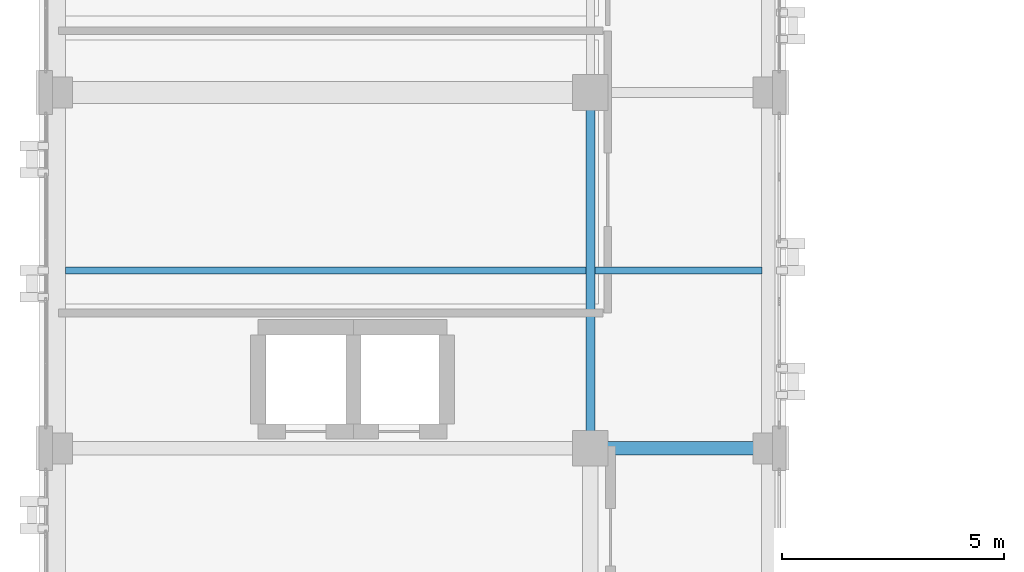
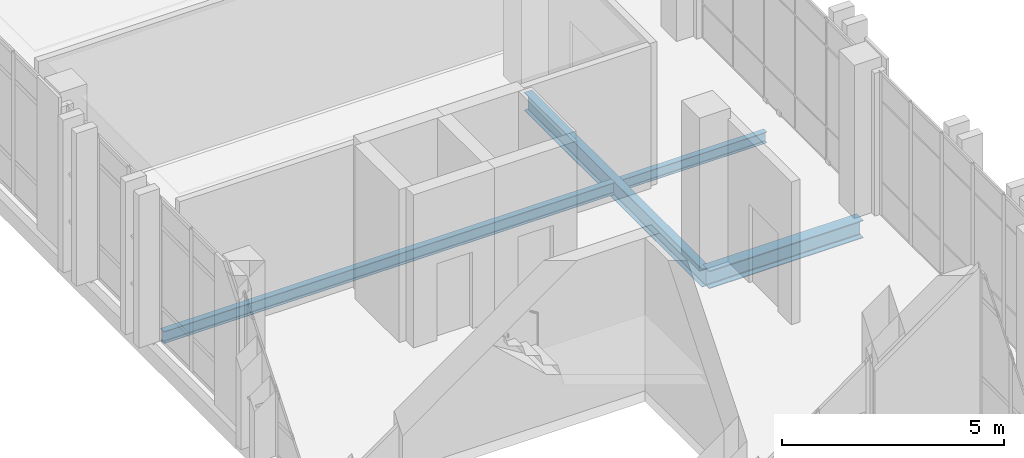
# One storey, part 27 of 193: 4 beams.
"""IFC4 building model written with IfcOpenShell, lengths in metres."""

import ifcopenshell
import ifcopenshell.guid

model = None  # the IFC model being written
_history = None  # IfcOwnerHistory: only IFC2X3 demands one
_inside = {}  # id of a spatial element -> (the spatial element, [elements in it])
_under = {}  # id of a project, library or spatial element -> (it, [spatial elements below it])
_declared = {}  # id of a project -> (the project, [libraries it declares])
_typed = {}  # id of a type object -> (the type object, [elements of that type])
_made_of = {}  # id of a material, layer set ... -> (it, [elements and type objects made of it])


def new_model(schema):
    """Start an empty IFC model of exactly this schema.

    Asked for "IFC4X3", IfcOpenShell would pick the latest addendum, in which some entities
    have other attributes; the version numbers below select the first issue.
    IFC2X3 requires an IfcOwnerHistory on every rooted entity: one is made here for all.
    """
    global model, _history
    if schema == "IFC4X3":
        model = ifcopenshell.file(schema_version=(4, 3, 0, 0))
    else:
        model = ifcopenshell.file(schema=schema)
    _inside.clear()
    _under.clear()
    _declared.clear()
    _typed.clear()
    _made_of.clear()
    _history = None
    if model.schema == "IFC2X3":
        org = make("IfcOrganization", Name="unknown")
        user = make(
            "IfcPersonAndOrganization",
            ThePerson=make("IfcPerson", FamilyName="unknown"),
            TheOrganization=org,
        )
        app = make(
            "IfcApplication",
            ApplicationDeveloper=org,
            Version="unknown",
            ApplicationFullName="unknown",
            ApplicationIdentifier="unknown",
        )
        _history = make(
            "IfcOwnerHistory",
            OwningUser=user,
            OwningApplication=app,
            ChangeAction="ADDED",
            CreationDate=0,
        )
    return model


def make(cls, **values):
    """One entity of the class cls with the attributes given. An attribute that is None is left unset."""
    return model.create_entity(
        cls, **{name: value for name, value in values.items() if value is not None}
    )


def rooted(cls, **values):
    """An entity with a GlobalId (a new one), such as an element, a storey or a relation."""
    return make(cls, GlobalId=ifcopenshell.guid.new(), OwnerHistory=_history, **values)


def si_unit(unit_type, name, prefix=None):
    """IfcSIUnit, for example si_unit("LENGTHUNIT", "METRE", prefix="MILLI")."""
    return make("IfcSIUnit", UnitType=unit_type, Prefix=prefix, Name=name)


def assignment(units):
    """IfcUnitAssignment: the units of a project."""
    return None if units is None else make("IfcUnitAssignment", Units=units)


def point(xyz):
    """IfcCartesianPoint."""
    return None if xyz is None else make("IfcCartesianPoint", Coordinates=xyz)


def direction(xyz):
    """IfcDirection."""
    return None if xyz is None else make("IfcDirection", DirectionRatios=xyz)


def frame(location, z_axis=None, x_axis=None):
    """IfcAxis2Placement3D, a coordinate frame: its origin and axes. An axis left out is left unset."""
    return make(
        "IfcAxis2Placement3D",
        Location=point(location),
        Axis=direction(z_axis),
        RefDirection=direction(x_axis),
    )


def frame_2d(location, x_axis=None):
    """IfcAxis2Placement2D, a coordinate frame in the plane: its origin and x axis."""
    return make(
        "IfcAxis2Placement2D", Location=point(location), RefDirection=direction(x_axis)
    )


def origin():
    """The frame at (0, 0, 0) with its axes left unset."""
    return frame((0.0, 0.0, 0.0))


def origin_2d():
    """The frame at (0, 0) in the plane with its x axis left unset."""
    return frame_2d((0.0, 0.0))


def place(relative_to, where):
    """IfcLocalPlacement: puts the frame where relative to a parent placement (None: the world)."""
    return make(
        "IfcLocalPlacement", PlacementRelTo=relative_to, RelativePlacement=where
    )


def context(
    kind, dimensions, precision=None, world=None, true_north=None, identifier=None
):
    """IfcGeometricRepresentationContext, for example the 3D "Model" context."""
    return make(
        "IfcGeometricRepresentationContext",
        ContextIdentifier=identifier,
        ContextType=kind,
        CoordinateSpaceDimension=dimensions,
        Precision=precision,
        WorldCoordinateSystem=world,
        TrueNorth=true_north,
    )


def subcontext(parent, identifier, kind, view, scale=None):
    """IfcGeometricRepresentationSubContext, for example "Body" below "Model"."""
    return make(
        "IfcGeometricRepresentationSubContext",
        ContextIdentifier=identifier,
        ContextType=kind,
        ParentContext=parent,
        TargetScale=scale,
        TargetView=view,
    )


def project(units=None, contexts=None):
    """IfcProject with its units and contexts."""
    return rooted(
        "IfcProject",
        Name="project",
        RepresentationContexts=contexts,
        UnitsInContext=assignment(units),
    )


def spatial(cls, under=None, at=None, **own):
    """A site, building, storey or space (cls), placed at a placement, below another one or the project."""
    s = rooted(cls, ObjectPlacement=at, **own)
    if under is not None:
        _under.setdefault(under.id(), (under, []))[1].append(s)
    return s


def profile(cls, at=None, kind="AREA", **sizes):
    """A parametric profile (cls). Its sizes go by their IFC names, for example OverallWidth=200.0."""
    return make(cls, ProfileType=kind, Position=at, **sizes)


def i_section(**sizes):
    """IfcIShapeProfileDef."""
    return profile("IfcIShapeProfileDef", **sizes)


def extrude(swept, where, along, depth):
    """IfcExtrudedAreaSolid: the profile swept, set in the frame where, extruded along a direction by depth."""
    return make(
        "IfcExtrudedAreaSolid",
        SweptArea=swept,
        Position=where,
        ExtrudedDirection=direction(along),
        Depth=depth,
    )


def shape(context_of_items, identifier, shape_type, items):
    """IfcShapeRepresentation: the items that make up one representation, for example the "Body"."""
    return make(
        "IfcShapeRepresentation",
        ContextOfItems=context_of_items,
        RepresentationIdentifier=identifier,
        RepresentationType=shape_type,
        Items=items,
    )


def material(Name=None, Category=None):
    """IfcMaterial."""
    return make("IfcMaterial", Name=Name, Category=Category)


def material_profile(
    of_material, cross_section, Name=None, Category=None, Priority=None
):
    """IfcMaterialProfile: a cross section and its material."""
    return make(
        "IfcMaterialProfile",
        Name=Name,
        Material=of_material,
        Profile=cross_section,
        Priority=Priority,
        Category=Category,
    )


def profile_set(profiles, Name=None, composite=None):
    """IfcMaterialProfileSet."""
    return make(
        "IfcMaterialProfileSet",
        Name=Name,
        MaterialProfiles=profiles,
        CompositeProfile=composite,
    )


def made_of(thing, what):
    """Note that an element or type object is made of a material, layer set ...; save() writes the relation."""
    if what is not None:
        _made_of.setdefault(what.id(), (what, []))[1].append(thing)
    return thing


def type_object(cls, material=None, **own):
    """A type object (cls), such as IfcWallType, which elements share."""
    return made_of(rooted(cls, **own), material)


def element(
    cls,
    number,
    at=None,
    inside=None,
    cuts=None,
    type_object=None,
    material=None,
    context=None,
    identifier="Body",
    shape_type=None,
    held_by="IfcProductDefinitionShape",
    body=None,
    shapes=None,
    **own,
):
    """One element of the class cls, such as IfcWall. Its Tag is "e" and its number.

    at: its placement. inside: the storey or other place that contains it. cuts: it is an
    opening in that element (IfcRelVoidsElement). A single representation is given by context,
    identifier, shape_type and body (its items); several are given by shapes. held_by: the class
    of the entity that holds the representations. save() writes the other relations.
    """
    e = rooted(cls, Tag="e%d" % number, ObjectPlacement=at, **own)
    if body is not None:
        shapes = [shape(context, identifier, shape_type, body)]
    if shapes is not None:
        e.Representation = make(held_by, Representations=shapes)
    if inside is not None:
        _inside.setdefault(inside.id(), (inside, []))[1].append(e)
    if cuts is not None:
        rooted(
            "IfcRelVoidsElement", RelatingBuildingElement=cuts, RelatedOpeningElement=e
        )
    if type_object is not None:
        _typed.setdefault(type_object.id(), (type_object, []))[1].append(e)
    return made_of(e, material)


def aggregate(whole, parts):
    """IfcRelAggregates: a whole, such as a stair, and the parts it consists of."""
    return rooted("IfcRelAggregates", RelatingObject=whole, RelatedObjects=parts)


def save(model, path):
    """Write the relations noted so far, then the file.

    IfcRelAggregates (storeys below a building ...), IfcRelContainedInSpatialStructure (elements
    in a storey), IfcRelDefinesByType, IfcRelAssociatesMaterial and IfcRelDeclares: one each for
    every whole, place, type object, material and project.
    """
    for whole, parts in _under.values():
        aggregate(whole, parts)
    for where, things in _inside.values():
        rooted(
            "IfcRelContainedInSpatialStructure",
            RelatedElements=things,
            RelatingStructure=where,
        )
    for kind, things in _typed.values():
        rooted("IfcRelDefinesByType", RelatedObjects=things, RelatingType=kind)
    for what, things in _made_of.values():
        rooted("IfcRelAssociatesMaterial", RelatedObjects=things, RelatingMaterial=what)
    for by, libraries in _declared.values():
        rooted("IfcRelDeclares", RelatingContext=by, RelatedDefinitions=libraries)
    model.write(path)


model = new_model("IFC4")

# Units and contexts
model_context = context("Model", 3, precision=1e-05, world=origin(), true_north=direction((0.0, 1.0)))
body_context = subcontext(model_context, "Body", "Model", "MODEL_VIEW")
ifc_project = project(units=[si_unit("LENGTHUNIT", "METRE"), si_unit("AREAUNIT", "SQUARE_METRE"), si_unit("VOLUMEUNIT", "CUBIC_METRE"), si_unit("PLANEANGLEUNIT", "RADIAN"), si_unit("MASSUNIT", "GRAM", prefix="KILO")], contexts=[model_context])

# Site, building, storey
site_placement = place(None, origin())
site = spatial("IfcSite", under=ifc_project, at=site_placement, CompositionType="ELEMENT")
building_placement = place(site_placement, origin())
building = spatial("IfcBuilding", under=site, at=building_placement, Name="Qalavern Law Courts", CompositionType="ELEMENT")
storey_placement = place(building_placement, frame((0.0, 0.0, 10.199951171875)))
storey = spatial("IfcBuildingStorey", under=building, at=storey_placement, Name="L02", CompositionType="ELEMENT", Elevation=10.199951171875)

# Beams
ifc_material = material(Name="Steel S355", Category="steel")
ifc_material_profile_1 = material_profile(ifc_material, i_section(OverallWidth=0.300048828125, OverallDepth=0.489990234375, WebThickness=0.011962890625, FlangeThickness=0.02294921875, FilletRadius=0.027099609375, at=origin_2d()), Name="HEA 500")
ifc_profile_set_1 = profile_set([ifc_material_profile_1], Name="Steel S355")
beam_type_1 = type_object("IfcBeamType", Name="STR-BM-HEA500", PredefinedType="BEAM", material=ifc_profile_set_1)
beam_1_placement = place(storey_placement, frame((14.39990234375, 49.39990234375, -0.534912109375), z_axis=(1.0, 0.0, 0.0), x_axis=(0.0, 1.0, 0.0)))
element("IfcBeam", 1, at=beam_1_placement, inside=storey, type_object=beam_type_1, Name="V3 X-beam 2-2 L02", PredefinedType="BEAM", context=body_context, shape_type="SweptSolid", body=[
    extrude(i_section(OverallWidth=0.300048828125, OverallDepth=0.489990234375, WebThickness=0.011962890625, FlangeThickness=0.02294921875, FilletRadius=0.027099609375, at=origin_2d()), origin(), (0.0, 0.0, 1.0), 4.0),
])
ifc_material_profile_2 = material_profile(ifc_material, i_section(OverallWidth=0.199951171875, OverallDepth=0.5, WebThickness=0.01025390625, FlangeThickness=0.01611328125, FilletRadius=0.02099609375, at=origin_2d()), Name="IPE 500")
ifc_profile_set_2 = profile_set([ifc_material_profile_2], Name="Steel S355")
beam_type_2 = type_object("IfcBeamType", Name="STR-BM-IPE500", PredefinedType="BEAM", material=ifc_profile_set_2)
beam_2_placement = place(storey_placement, frame((14.39990234375, 49.39990234375, -0.5400390625), z_axis=(0.0, 1.0, 0.0), x_axis=(-1.0, 0.0, 0.0)))
element("IfcBeam", 2, at=beam_2_placement, inside=storey, type_object=beam_type_2, Name="V3 Y-beam 2-2 L02", PredefinedType="BEAM", context=body_context, shape_type="SweptSolid", body=[
    extrude(i_section(OverallWidth=0.199951171875, OverallDepth=0.5, WebThickness=0.01025390625, FlangeThickness=0.01611328125, FilletRadius=0.02099609375, at=origin_2d()), origin(), (0.0, 0.0, 1.0), 8.0),
])
ifc_material_profile_3 = material_profile(ifc_material, i_section(OverallWidth=0.14990234375, OverallDepth=0.300048828125, WebThickness=0.007080078125, FlangeThickness=0.0107421875, FilletRadius=0.014892578125, at=origin_2d()), Name="IPE 300")
ifc_profile_set_3 = profile_set([ifc_material_profile_3], Name="Steel S355")
beam_type_3 = type_object("IfcBeamType", Name="STR-JST-IPE300", PredefinedType="JOIST", material=ifc_profile_set_3)
beam_3_placement = place(storey_placement, frame((14.498046875, 53.39990234375, -0.43994140625), z_axis=(1.0, 0.0, 0.0), x_axis=(0.0, 1.0, 0.0)))
element("IfcBeam", 3, at=beam_3_placement, inside=storey, type_object=beam_type_3, Name="V3 secondary joist 2.2.1 L02", PredefinedType="JOIST", context=body_context, shape_type="SweptSolid", body=[
    extrude(i_section(OverallWidth=0.14990234375, OverallDepth=0.300048828125, WebThickness=0.007080078125, FlangeThickness=0.0107421875, FilletRadius=0.014892578125, at=origin_2d()), origin(), (0.0, 0.0, 1.0), 3.75390625),
])
ifc_material_profile_4 = material_profile(ifc_material, i_section(OverallWidth=0.159912109375, OverallDepth=0.330078125, WebThickness=0.007568359375, FlangeThickness=0.011474609375, FilletRadius=0.01806640625, at=origin_2d()), Name="IPE 330")
ifc_profile_set_4 = profile_set([ifc_material_profile_4], Name="Steel S355")
beam_type_4 = type_object("IfcBeamType", Name="STR-JST-IPE330", PredefinedType="JOIST", material=ifc_profile_set_4)
beam_4_placement = place(storey_placement, frame((2.597900390625, 53.39990234375, -0.454833984375), z_axis=(1.0, 0.0, 0.0), x_axis=(0.0, 1.0, 0.0)))
element("IfcBeam", 4, at=beam_4_placement, inside=storey, type_object=beam_type_4, Name="V3 secondary joist 1.2.1 L02", PredefinedType="JOIST", context=body_context, shape_type="SweptSolid", body=[
    extrude(i_section(OverallWidth=0.159912109375, OverallDepth=0.330078125, WebThickness=0.007568359375, FlangeThickness=0.011474609375, FilletRadius=0.01806640625, at=origin_2d()), origin(), (0.0, 0.0, 1.0), 11.7041015625),
])

save(model, "model.ifc")
